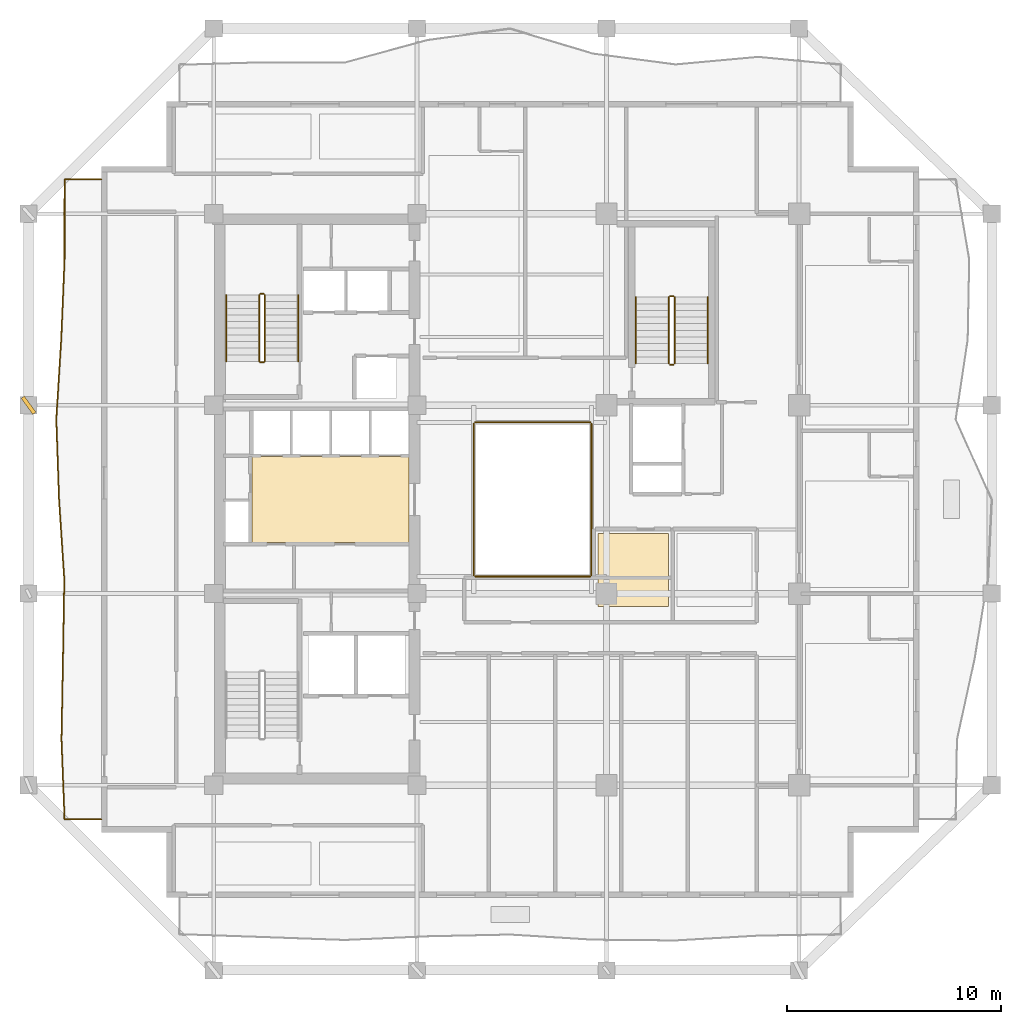
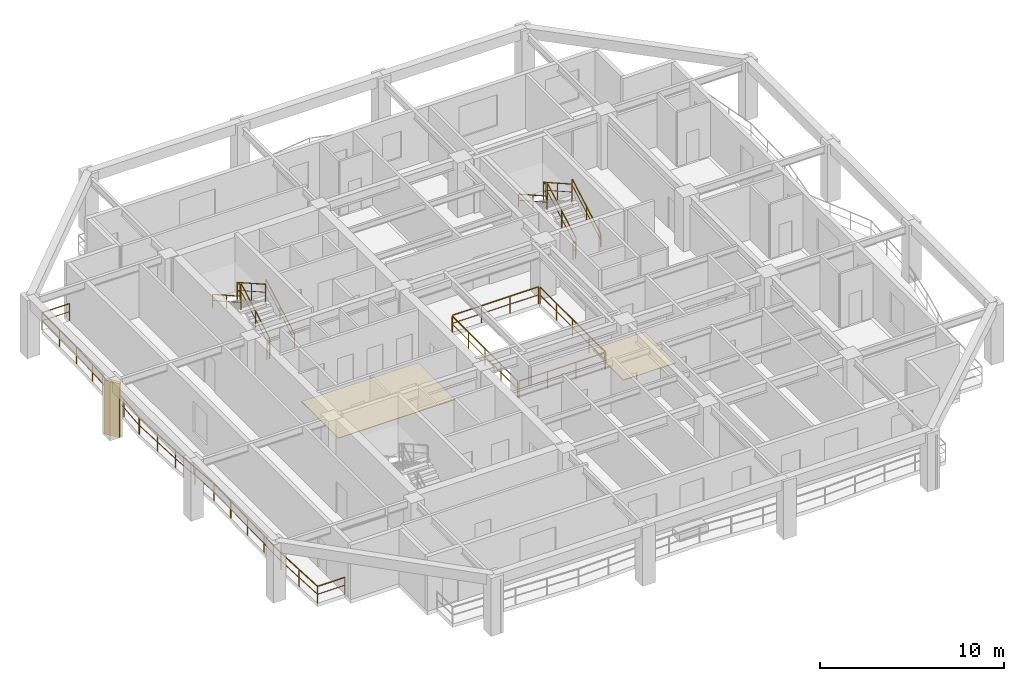
# One storey, part 9 of 11: 17 railings, 2 coverings, 1 shading device.
"""IFC4 building model written with IfcOpenShell, lengths in metres."""

from ifc_helpers import new_model, si_unit, direction, frame, origin, origin_2d, place, context, subcontext, project, spatial, polyline, rectangle, outline, extrude, material, layer, layer_set, type_object, element, save


model = new_model("IFC4")

# Units and contexts
model_context = context("Model", 3, precision=1e-05, world=origin(), true_north=direction((0.0, 1.0)))
body_context = subcontext(model_context, "Body", "Model", "MODEL_VIEW")
ifc_project = project(units=[si_unit("LENGTHUNIT", "METRE"), si_unit("AREAUNIT", "SQUARE_METRE"), si_unit("VOLUMEUNIT", "CUBIC_METRE"), si_unit("PLANEANGLEUNIT", "RADIAN"), si_unit("MASSUNIT", "GRAM", prefix="KILO")], contexts=[model_context])

# Site, building, storey
site_placement = place(None, origin())
site = spatial("IfcSite", under=ifc_project, at=site_placement, CompositionType="ELEMENT")
building_placement = place(site_placement, origin())
building = spatial("IfcBuilding", under=site, at=building_placement, Name="Kundavana Baori Tower", CompositionType="ELEMENT")
storey_placement = place(building_placement, frame((0.0, 0.0, 146.35009765625)))
storey = spatial("IfcBuildingStorey", under=building, at=storey_placement, Name="L35", CompositionType="ELEMENT", Elevation=146.35009765625)

# Coverings
ifc_material_1 = material(Name="Honed Kota Stone and Terrazzo Flooring", Category="masonry")
ifc_layer_1 = layer(ifc_material_1, 0.0400390625, Name="COV-FLR-TERR-40")
ifc_layer_set_1 = layer_set([ifc_layer_1], Name="Honed Kota Stone and Terrazzo Flooring")
covering_type_1 = type_object("IfcCoveringType", Name="COV-FLR-TERR-40", PredefinedType="FLOORING", material=ifc_layer_set_1)
covering_1_placement = place(storey_placement, origin())
element("IfcCovering", 1, at=covering_1_placement, inside=storey, type_object=covering_type_1, Name="L35 Core Lift Lobby Kota Stone Flooring", PredefinedType="FLOORING", context=body_context, shape_type="SweptSolid", body=[
    extrude(outline(polyline([(17.25, 26.580078125), (24.580078125, 26.580078125), (24.580078125, 30.60009765625), (17.25, 30.60009765625), (17.25, 26.580078125)])), origin(), (0.0, 0.0, 1.0), 0.039794921875),
])
ifc_material_2 = material(Name="Honed Kota Stone and Terrazzo Flooring", Category="masonry")
ifc_layer_2 = layer(ifc_material_2, 0.030029296875, Name="COV-INT-FLR")
ifc_layer_set_2 = layer_set([ifc_layer_2], Name="Honed Kota Stone and Terrazzo Flooring")
covering_type_2 = type_object("IfcCoveringType", Name="COV-INT-FLR", PredefinedType="FLOORING", material=ifc_layer_set_2)
covering_2_placement = place(storey_placement, origin())
element("IfcCovering", 2, at=covering_2_placement, inside=storey, type_object=covering_type_2, Name="L35 Room Finished Stone Flooring 9", PredefinedType="FLOORING", context=body_context, shape_type="SweptSolid", body=[
    extrude(outline(polyline([(33.39990234375, 23.60009765625), (36.699951171875, 23.60009765625), (36.699951171875, 27.0), (33.39990234375, 27.0), (33.39990234375, 23.60009765625)])), origin(), (0.0, 0.0, 1.0), 0.02978515625),
])

# Railings
ifc_material_3 = material(Name="Architectural Patinated Bronze Metalwork")
railing_type_1 = type_object("IfcRailingType", Name="RL-BAL-1150", PredefinedType="BALUSTRADE", material=ifc_material_3)
railing_1_placement = place(storey_placement, frame((10.199951171875, 13.64990234375, 0.0)))
element("IfcRailing", 3, at=railing_1_placement, inside=storey, type_object=railing_type_1, Name="L35 Loggia Balcony Balustrade W", PredefinedType="BALUSTRADE", context=body_context, shape_type="SweptSolid", body=[
    extrude(rectangle(XDim=0.048095703125, YDim=0.048095703125, at=origin_2d()), frame((0.0, 0.0, 1.1259765625), z_axis=(-1.0, 0.0, 0.0), x_axis=(0.0, -1.0, 0.0)), (0.0, 0.0, 1.0), 1.719970703125),
    extrude(rectangle(XDim=0.03125, YDim=0.03125, at=origin_2d()), frame((0.0, 0.0, 0.597900390625), z_axis=(-1.0, 0.0, 0.0), x_axis=(0.0, -1.0, 0.0)), (0.0, 0.0, 1.0), 1.719970703125),
    extrude(rectangle(XDim=0.048095703125, YDim=0.048095703125, at=origin_2d()), frame((-1.719970703125, 0.0, 1.1259765625), z_axis=(-0.038776589515, 0.99924790523, 0.0), x_axis=(-0.99924790523, -0.038776589515, 0.0)), (0.0, 0.0, 1.0), 3.739990234375),
    extrude(rectangle(XDim=0.03125, YDim=0.03125, at=origin_2d()), frame((-1.719970703125, 0.0, 0.597900390625), z_axis=(-0.038776589515, 0.99924790523, 0.0), x_axis=(-0.99924790523, -0.038776589515, 0.0)), (0.0, 0.0, 1.0), 3.739990234375),
    extrude(rectangle(XDim=0.048095703125, YDim=0.048095703125, at=origin_2d()), frame((-1.864990234375, 3.737060546875, 1.1259765625), z_axis=(0.018480286765, 0.999829224918, 0.0), x_axis=(-0.999829224918, 0.018480286765, 0.0)), (0.0, 0.0, 1.0), 3.73876953125),
    extrude(rectangle(XDim=0.03125, YDim=0.03125, at=origin_2d()), frame((-1.864990234375, 3.737060546875, 0.597900390625), z_axis=(0.018480286765, 0.999829224918, 0.0), x_axis=(-0.999829224918, 0.018480286765, 0.0)), (0.0, 0.0, 1.0), 3.73876953125),
    extrude(rectangle(XDim=0.048095703125, YDim=0.048095703125, at=origin_2d()), frame((-1.7958984375, 7.47509765625, 1.1259765625), z_axis=(0.016852639963, 0.999857984179, 0.0), x_axis=(-0.999857984179, 0.016852639963, 0.0)), (0.0, 0.0, 1.0), 3.737548828125),
    extrude(rectangle(XDim=0.03125, YDim=0.03125, at=origin_2d()), frame((-1.7958984375, 7.47509765625, 0.597900390625), z_axis=(0.016852639963, 0.999857984179, 0.0), x_axis=(-0.999857984179, 0.016852639963, 0.0)), (0.0, 0.0, 1.0), 3.737548828125),
    extrude(rectangle(XDim=0.048095703125, YDim=0.048095703125, at=origin_2d()), frame((-1.73291015625, 11.212158203125, 1.1259765625), z_axis=(-0.065433242561, 0.99785694905, 0.0), x_axis=(-0.99785694905, -0.065433242561, 0.0)), (0.0, 0.0, 1.0), 3.74609375),
    extrude(rectangle(XDim=0.03125, YDim=0.03125, at=origin_2d()), frame((-1.73291015625, 11.212158203125, 0.597900390625), z_axis=(-0.065433242561, 0.99785694905, 0.0), x_axis=(-0.99785694905, -0.065433242561, 0.0)), (0.0, 0.0, 1.0), 3.74609375),
    extrude(rectangle(XDim=0.048095703125, YDim=0.048095703125, at=origin_2d()), frame((-1.97802734375, 14.9501953125, 1.1259765625), z_axis=(-0.034475769106, 0.999405533977, 0.0), x_axis=(-0.999405533977, -0.034475769106, 0.0)), (0.0, 0.0, 1.0), 3.739013671875),
    extrude(rectangle(XDim=0.03125, YDim=0.03125, at=origin_2d()), frame((-1.97802734375, 14.9501953125, 0.597900390625), z_axis=(-0.034475769106, 0.999405533977, 0.0), x_axis=(-0.999405533977, -0.034475769106, 0.0)), (0.0, 0.0, 1.0), 3.739013671875),
    extrude(rectangle(XDim=0.048095703125, YDim=0.048095703125, at=origin_2d()), frame((-2.10693359375, 18.68701171875, 1.1259765625), z_axis=(0.061668048596, 0.998096714644, 0.0), x_axis=(-0.998096714644, 0.061668048596, 0.0)), (0.0, 0.0, 1.0), 3.7451171875),
    extrude(rectangle(XDim=0.03125, YDim=0.03125, at=origin_2d()), frame((-2.10693359375, 18.68701171875, 0.597900390625), z_axis=(0.061668048596, 0.998096714644, 0.0), x_axis=(-0.998096714644, 0.061668048596, 0.0)), (0.0, 0.0, 1.0), 3.7451171875),
    extrude(rectangle(XDim=0.048095703125, YDim=0.048095703125, at=origin_2d()), frame((-1.8759765625, 22.425048828125, 1.1259765625), z_axis=(0.041448638128, 0.999140635945, 0.0), x_axis=(-0.999140635945, 0.041448638128, 0.0)), (0.0, 0.0, 1.0), 3.740234375),
    extrude(rectangle(XDim=0.03125, YDim=0.03125, at=origin_2d()), frame((-1.8759765625, 22.425048828125, 0.597900390625), z_axis=(0.041448638128, 0.999140635945, 0.0), x_axis=(-0.999140635945, 0.041448638128, 0.0)), (0.0, 0.0, 1.0), 3.740234375),
    extrude(rectangle(XDim=0.048095703125, YDim=0.048095703125, at=origin_2d()), frame((-1.720947265625, 26.162109375, 1.1259765625), z_axis=(0.000261250073, 0.999999965874, 0.0), x_axis=(-0.999999965874, 0.000261250073, 0.0)), (0.0, 0.0, 1.0), 3.738037109375),
    extrude(rectangle(XDim=0.03125, YDim=0.03125, at=origin_2d()), frame((-1.720947265625, 26.162109375, 0.597900390625), z_axis=(0.000261250073, 0.999999965874, 0.0), x_axis=(-0.999999965874, 0.000261250073, 0.0)), (0.0, 0.0, 1.0), 3.738037109375),
    extrude(rectangle(XDim=0.048095703125, YDim=0.048095703125, at=origin_2d()), frame((-1.719970703125, 29.900146484375, 1.1259765625), z_axis=(1.0, 0.0, 0.0), x_axis=(0.0, 1.0, 0.0)), (0.0, 0.0, 1.0), 1.719970703125),
    extrude(rectangle(XDim=0.03125, YDim=0.03125, at=origin_2d()), frame((-1.719970703125, 29.900146484375, 0.597900390625), z_axis=(1.0, 0.0, 0.0), x_axis=(0.0, 1.0, 0.0)), (0.0, 0.0, 1.0), 1.719970703125),
    extrude(rectangle(XDim=0.0419921875, YDim=0.0419921875, at=origin_2d()), origin(), (0.0, 0.0, 1.0), 1.101806640625),
    extrude(rectangle(XDim=0.0419921875, YDim=0.0419921875, at=origin_2d()), frame((-1.719970703125, 0.0, 0.0)), (0.0, 0.0, 1.0), 1.101806640625),
    extrude(rectangle(XDim=0.0419921875, YDim=0.0419921875, at=origin_2d()), frame((-1.79248046875, 1.86865234375, 0.0)), (0.0, 0.0, 1.0), 1.101806640625),
    extrude(rectangle(XDim=0.0419921875, YDim=0.0419921875, at=origin_2d()), frame((-1.864990234375, 3.737060546875, 0.0)), (0.0, 0.0, 1.0), 1.101806640625),
    extrude(rectangle(XDim=0.0419921875, YDim=0.0419921875, at=origin_2d()), frame((-1.83056640625, 5.60595703125, 0.0)), (0.0, 0.0, 1.0), 1.101806640625),
    extrude(rectangle(XDim=0.0419921875, YDim=0.0419921875, at=origin_2d()), frame((-1.7958984375, 7.47509765625, 0.0)), (0.0, 0.0, 1.0), 1.101806640625),
    extrude(rectangle(XDim=0.0419921875, YDim=0.0419921875, at=origin_2d()), frame((-1.764404296875, 9.34375, 0.0)), (0.0, 0.0, 1.0), 1.101806640625),
    extrude(rectangle(XDim=0.0419921875, YDim=0.0419921875, at=origin_2d()), frame((-1.73291015625, 11.212158203125, 0.0)), (0.0, 0.0, 1.0), 1.101806640625),
    extrude(rectangle(XDim=0.0419921875, YDim=0.0419921875, at=origin_2d()), frame((-1.85546875, 13.0810546875, 0.0)), (0.0, 0.0, 1.0), 1.101806640625),
    extrude(rectangle(XDim=0.0419921875, YDim=0.0419921875, at=origin_2d()), frame((-1.97802734375, 14.9501953125, 0.0)), (0.0, 0.0, 1.0), 1.101806640625),
    extrude(rectangle(XDim=0.0419921875, YDim=0.0419921875, at=origin_2d()), frame((-2.04248046875, 16.818603515625, 0.0)), (0.0, 0.0, 1.0), 1.101806640625),
    extrude(rectangle(XDim=0.0419921875, YDim=0.0419921875, at=origin_2d()), frame((-2.10693359375, 18.68701171875, 0.0)), (0.0, 0.0, 1.0), 1.101806640625),
    extrude(rectangle(XDim=0.0419921875, YDim=0.0419921875, at=origin_2d()), frame((-1.991455078125, 20.55615234375, 0.0)), (0.0, 0.0, 1.0), 1.101806640625),
    extrude(rectangle(XDim=0.0419921875, YDim=0.0419921875, at=origin_2d()), frame((-1.8759765625, 22.425048828125, 0.0)), (0.0, 0.0, 1.0), 1.101806640625),
    extrude(rectangle(XDim=0.0419921875, YDim=0.0419921875, at=origin_2d()), frame((-1.79833984375, 24.29345703125, 0.0)), (0.0, 0.0, 1.0), 1.101806640625),
    extrude(rectangle(XDim=0.0419921875, YDim=0.0419921875, at=origin_2d()), frame((-1.720947265625, 26.162109375, 0.0)), (0.0, 0.0, 1.0), 1.101806640625),
    extrude(rectangle(XDim=0.0419921875, YDim=0.0419921875, at=origin_2d()), frame((-1.720458984375, 28.03125, 0.0)), (0.0, 0.0, 1.0), 1.101806640625),
    extrude(rectangle(XDim=0.0419921875, YDim=0.0419921875, at=origin_2d()), frame((-1.719970703125, 29.900146484375, 0.0)), (0.0, 0.0, 1.0), 1.101806640625),
    extrude(rectangle(XDim=0.0419921875, YDim=0.0419921875, at=origin_2d()), frame((0.0, 29.900146484375, 0.0)), (0.0, 0.0, 1.0), 1.101806640625),
])
ifc_material_4 = material(Name="Architectural Patinated Bronze Metalwork")
railing_type_2 = type_object("IfcRailingType", Name="RL-GRD-1150", PredefinedType="GUARDRAIL", material=ifc_material_4)
railing_2_placement = place(storey_placement, frame((17.840087890625, 35.050048828125, 0.1748046875)))
element("IfcRailing", 4, at=railing_2_placement, inside=storey, type_object=railing_type_2, Name="L35 ST2 stair guard 1", PredefinedType="GUARDRAIL", context=body_context, shape_type="SweptSolid", body=[
    extrude(rectangle(XDim=0.048095703125, YDim=0.048095703125, at=origin_2d()), frame((0.0, 0.0, 1.1259765625), z_axis=(0.0, 0.870814364268, 0.491611984175), x_axis=(-1.0, 0.0, 0.0)), (0.0, 0.0, 1.0), 3.559814453125),
    extrude(rectangle(XDim=0.03125, YDim=0.03125, at=origin_2d()), frame((0.0, 0.0, 0.597900390625), z_axis=(0.0, 0.870814364268, 0.491611984175), x_axis=(-1.0, 0.0, 0.0)), (0.0, 0.0, 1.0), 3.559814453125),
    extrude(rectangle(XDim=0.0419921875, YDim=0.0419921875, at=origin_2d()), origin(), (0.0, 0.0, 1.0), 1.101806640625),
    extrude(rectangle(XDim=0.0419921875, YDim=0.0419921875, at=origin_2d()), frame((0.0, 1.5498046875, 0.875)), (0.0, 0.0, 1.0), 1.101806640625),
    extrude(rectangle(XDim=0.0419921875, YDim=0.0419921875, at=origin_2d()), frame((0.0, 3.099853515625, 1.75)), (0.0, 0.0, 1.0), 1.101806640625),
])
railing_3_placement = place(storey_placement, frame((17.7900390625, 38.199951171875, 1.9248046875)))
element("IfcRailing", 5, at=railing_3_placement, inside=storey, type_object=railing_type_2, Name="L35 ST2 stair guard 2", PredefinedType="GUARDRAIL", context=body_context, shape_type="SweptSolid", body=[
    extrude(rectangle(XDim=0.048095703125, YDim=0.048095703125, at=origin_2d()), frame((0.0, 0.0, 1.1259765625), z_axis=(-1.0, 0.0, 0.0), x_axis=(0.0, -1.0, 0.0)), (0.0, 0.0, 1.0), 0.16015625),
    extrude(rectangle(XDim=0.03125, YDim=0.03125, at=origin_2d()), frame((0.0, 0.0, 0.597900390625), z_axis=(-1.0, 0.0, 0.0), x_axis=(0.0, -1.0, 0.0)), (0.0, 0.0, 1.0), 0.16015625),
    extrude(rectangle(XDim=0.0419921875, YDim=0.0419921875, at=origin_2d()), origin(), (0.0, 0.0, 1.0), 1.101806640625),
    extrude(rectangle(XDim=0.0419921875, YDim=0.0419921875, at=origin_2d()), frame((-0.16015625, 0.0, 0.0)), (0.0, 0.0, 1.0), 1.101806640625),
])
railing_4_placement = place(storey_placement, frame((17.580078125, 38.14990234375, 2.099853515625)))
element("IfcRailing", 6, at=railing_4_placement, inside=storey, type_object=railing_type_2, Name="L35 ST2 stair guard 3", PredefinedType="GUARDRAIL", context=body_context, shape_type="SweptSolid", body=[
    extrude(rectangle(XDim=0.048095703125, YDim=0.048095703125, at=origin_2d()), frame((0.0, 0.0, 1.1259765625), z_axis=(0.0, -0.870814364268, 0.491611984175), x_axis=(1.0, 0.0, 0.0)), (0.0, 0.0, 1.0), 3.559814453125),
    extrude(rectangle(XDim=0.03125, YDim=0.03125, at=origin_2d()), frame((0.0, 0.0, 0.597900390625), z_axis=(0.0, -0.870814364268, 0.491611984175), x_axis=(1.0, 0.0, 0.0)), (0.0, 0.0, 1.0), 3.559814453125),
    extrude(rectangle(XDim=0.0419921875, YDim=0.0419921875, at=origin_2d()), origin(), (0.0, 0.0, 1.0), 1.101806640625),
    extrude(rectangle(XDim=0.0419921875, YDim=0.0419921875, at=origin_2d()), frame((0.0, -1.5498046875, 0.875)), (0.0, 0.0, 1.0), 1.101806640625),
    extrude(rectangle(XDim=0.0419921875, YDim=0.0419921875, at=origin_2d()), frame((0.0, -3.099853515625, 1.75)), (0.0, 0.0, 1.0), 1.101806640625),
])
railing_5_placement = place(storey_placement, frame((17.7900390625, 35.0, 0.0)))
element("IfcRailing", 7, at=railing_5_placement, inside=storey, type_object=railing_type_2, Name="L35 ST2 stair guard 4", PredefinedType="GUARDRAIL", context=body_context, shape_type="SweptSolid", body=[
    extrude(rectangle(XDim=0.048095703125, YDim=0.048095703125, at=origin_2d()), frame((0.0, 0.0, 1.1259765625), z_axis=(-1.0, 0.0, 0.0), x_axis=(0.0, -1.0, 0.0)), (0.0, 0.0, 1.0), 0.16015625),
    extrude(rectangle(XDim=0.03125, YDim=0.03125, at=origin_2d()), frame((0.0, 0.0, 0.597900390625), z_axis=(-1.0, 0.0, 0.0), x_axis=(0.0, -1.0, 0.0)), (0.0, 0.0, 1.0), 0.16015625),
    extrude(rectangle(XDim=0.0419921875, YDim=0.0419921875, at=origin_2d()), origin(), (0.0, 0.0, 1.0), 1.101806640625),
    extrude(rectangle(XDim=0.0419921875, YDim=0.0419921875, at=origin_2d()), frame((-0.16015625, 0.0, 0.0)), (0.0, 0.0, 1.0), 1.101806640625),
])
railing_6_placement = place(storey_placement, frame((36.97998046875, 34.949951171875, 0.1748046875)))
element("IfcRailing", 8, at=railing_6_placement, inside=storey, type_object=railing_type_2, Name="L35 ST3 stair guard 1", PredefinedType="GUARDRAIL", context=body_context, shape_type="SweptSolid", body=[
    extrude(rectangle(XDim=0.048095703125, YDim=0.048095703125, at=origin_2d()), frame((0.0, 0.0, 1.1259765625), z_axis=(0.0, 0.870830938388, 0.491582624537), x_axis=(-1.0, 0.0, 0.0)), (0.0, 0.0, 1.0), 3.559814453125),
    extrude(rectangle(XDim=0.03125, YDim=0.03125, at=origin_2d()), frame((0.0, 0.0, 0.597900390625), z_axis=(0.0, 0.870830938388, 0.491582624537), x_axis=(-1.0, 0.0, 0.0)), (0.0, 0.0, 1.0), 3.559814453125),
    extrude(rectangle(XDim=0.0419921875, YDim=0.0419921875, at=origin_2d()), origin(), (0.0, 0.0, 1.0), 1.101806640625),
    extrude(rectangle(XDim=0.0419921875, YDim=0.0419921875, at=origin_2d()), frame((0.0, 1.550048828125, 0.875)), (0.0, 0.0, 1.0), 1.101806640625),
    extrude(rectangle(XDim=0.0419921875, YDim=0.0419921875, at=origin_2d()), frame((0.0, 3.10009765625, 1.75)), (0.0, 0.0, 1.0), 1.101806640625),
])
railing_7_placement = place(storey_placement, frame((36.929931640625, 38.10009765625, 1.9248046875)))
element("IfcRailing", 9, at=railing_7_placement, inside=storey, type_object=railing_type_2, Name="L35 ST3 stair guard 2", PredefinedType="GUARDRAIL", context=body_context, shape_type="SweptSolid", body=[
    extrude(rectangle(XDim=0.048095703125, YDim=0.048095703125, at=origin_2d()), frame((0.0, 0.0, 1.1259765625), z_axis=(-1.0, 0.0, 0.0), x_axis=(0.0, -1.0, 0.0)), (0.0, 0.0, 1.0), 0.159912109375),
    extrude(rectangle(XDim=0.03125, YDim=0.03125, at=origin_2d()), frame((0.0, 0.0, 0.597900390625), z_axis=(-1.0, 0.0, 0.0), x_axis=(0.0, -1.0, 0.0)), (0.0, 0.0, 1.0), 0.159912109375),
    extrude(rectangle(XDim=0.0419921875, YDim=0.0419921875, at=origin_2d()), origin(), (0.0, 0.0, 1.0), 1.101806640625),
    extrude(rectangle(XDim=0.0419921875, YDim=0.0419921875, at=origin_2d()), frame((-0.159912109375, 0.0, 0.0)), (0.0, 0.0, 1.0), 1.101806640625),
])
railing_8_placement = place(storey_placement, frame((36.719970703125, 38.050048828125, 2.099853515625)))
element("IfcRailing", 10, at=railing_8_placement, inside=storey, type_object=railing_type_2, Name="L35 ST3 stair guard 3", PredefinedType="GUARDRAIL", context=body_context, shape_type="SweptSolid", body=[
    extrude(rectangle(XDim=0.048095703125, YDim=0.048095703125, at=origin_2d()), frame((0.0, 0.0, 1.1259765625), z_axis=(0.0, -0.870830938388, 0.491582624537), x_axis=(1.0, 0.0, 0.0)), (0.0, 0.0, 1.0), 3.559814453125),
    extrude(rectangle(XDim=0.03125, YDim=0.03125, at=origin_2d()), frame((0.0, 0.0, 0.597900390625), z_axis=(0.0, -0.870830938388, 0.491582624537), x_axis=(1.0, 0.0, 0.0)), (0.0, 0.0, 1.0), 3.559814453125),
    extrude(rectangle(XDim=0.0419921875, YDim=0.0419921875, at=origin_2d()), origin(), (0.0, 0.0, 1.0), 1.101806640625),
    extrude(rectangle(XDim=0.0419921875, YDim=0.0419921875, at=origin_2d()), frame((0.0, -1.550048828125, 0.875)), (0.0, 0.0, 1.0), 1.101806640625),
    extrude(rectangle(XDim=0.0419921875, YDim=0.0419921875, at=origin_2d()), frame((0.0, -3.10009765625, 1.75)), (0.0, 0.0, 1.0), 1.101806640625),
])
railing_9_placement = place(storey_placement, frame((36.929931640625, 34.89990234375, 0.0)))
element("IfcRailing", 11, at=railing_9_placement, inside=storey, type_object=railing_type_2, Name="L35 ST3 stair guard 4", PredefinedType="GUARDRAIL", context=body_context, shape_type="SweptSolid", body=[
    extrude(rectangle(XDim=0.048095703125, YDim=0.048095703125, at=origin_2d()), frame((0.0, 0.0, 1.1259765625), z_axis=(-1.0, 0.0, 0.0), x_axis=(0.0, -1.0, 0.0)), (0.0, 0.0, 1.0), 0.159912109375),
    extrude(rectangle(XDim=0.03125, YDim=0.03125, at=origin_2d()), frame((0.0, 0.0, 0.597900390625), z_axis=(-1.0, 0.0, 0.0), x_axis=(0.0, -1.0, 0.0)), (0.0, 0.0, 1.0), 0.159912109375),
    extrude(rectangle(XDim=0.0419921875, YDim=0.0419921875, at=origin_2d()), origin(), (0.0, 0.0, 1.0), 1.101806640625),
    extrude(rectangle(XDim=0.0419921875, YDim=0.0419921875, at=origin_2d()), frame((-0.159912109375, 0.0, 0.0)), (0.0, 0.0, 1.0), 1.101806640625),
])
railing_10_placement = place(storey_placement, frame((27.659912109375, 25.0, 0.0)))
element("IfcRailing", 12, at=railing_10_placement, inside=storey, type_object=railing_type_2, Name="L35 Atrium Void Perimeter Guardrail S", PredefinedType="GUARDRAIL", context=body_context, shape_type="SweptSolid", body=[
    extrude(rectangle(XDim=0.048095703125, YDim=0.048095703125, at=origin_2d()), frame((0.0, 0.0, 1.1259765625), z_axis=(1.0, 0.0, 0.0), x_axis=(0.0, 1.0, 0.0)), (0.0, 0.0, 1.0), 5.380126953125),
    extrude(rectangle(XDim=0.03125, YDim=0.03125, at=origin_2d()), frame((0.0, 0.0, 0.597900390625), z_axis=(1.0, 0.0, 0.0), x_axis=(0.0, 1.0, 0.0)), (0.0, 0.0, 1.0), 5.380126953125),
    extrude(rectangle(XDim=0.0419921875, YDim=0.0419921875, at=origin_2d()), origin(), (0.0, 0.0, 1.0), 1.101806640625),
    extrude(rectangle(XDim=0.0419921875, YDim=0.0419921875, at=origin_2d()), frame((1.79345703125, 0.0, 0.0)), (0.0, 0.0, 1.0), 1.101806640625),
    extrude(rectangle(XDim=0.0419921875, YDim=0.0419921875, at=origin_2d()), frame((3.586669921875, 0.0, 0.0)), (0.0, 0.0, 1.0), 1.101806640625),
    extrude(rectangle(XDim=0.0419921875, YDim=0.0419921875, at=origin_2d()), frame((5.380126953125, 0.0, 0.0)), (0.0, 0.0, 1.0), 1.101806640625),
])
railing_11_placement = place(storey_placement, frame((33.10009765625, 25.06005859375, 0.0)))
element("IfcRailing", 13, at=railing_11_placement, inside=storey, type_object=railing_type_2, Name="L35 Atrium Void Perimeter Guardrail E", PredefinedType="GUARDRAIL", context=body_context, shape_type="SweptSolid", body=[
    extrude(rectangle(XDim=0.048095703125, YDim=0.048095703125, at=origin_2d()), frame((0.0, 0.0, 1.1259765625), z_axis=(0.0, 1.0, 0.0), x_axis=(-1.0, 0.0, 0.0)), (0.0, 0.0, 1.0), 7.079833984375),
    extrude(rectangle(XDim=0.03125, YDim=0.03125, at=origin_2d()), frame((0.0, 0.0, 0.597900390625), z_axis=(0.0, 1.0, 0.0), x_axis=(-1.0, 0.0, 0.0)), (0.0, 0.0, 1.0), 7.079833984375),
    extrude(rectangle(XDim=0.0419921875, YDim=0.0419921875, at=origin_2d()), origin(), (0.0, 0.0, 1.0), 1.101806640625),
    extrude(rectangle(XDim=0.0419921875, YDim=0.0419921875, at=origin_2d()), frame((0.0, 1.77001953125, 0.0)), (0.0, 0.0, 1.0), 1.101806640625),
    extrude(rectangle(XDim=0.0419921875, YDim=0.0419921875, at=origin_2d()), frame((0.0, 3.5400390625, 0.0)), (0.0, 0.0, 1.0), 1.101806640625),
    extrude(rectangle(XDim=0.0419921875, YDim=0.0419921875, at=origin_2d()), frame((0.0, 5.309814453125, 0.0)), (0.0, 0.0, 1.0), 1.101806640625),
    extrude(rectangle(XDim=0.0419921875, YDim=0.0419921875, at=origin_2d()), frame((0.0, 7.079833984375, 0.0)), (0.0, 0.0, 1.0), 1.101806640625),
])
railing_12_placement = place(storey_placement, frame((33.0400390625, 32.199951171875, 0.0)))
element("IfcRailing", 14, at=railing_12_placement, inside=storey, type_object=railing_type_2, Name="L35 Atrium Void Perimeter Guardrail N", PredefinedType="GUARDRAIL", context=body_context, shape_type="SweptSolid", body=[
    extrude(rectangle(XDim=0.048095703125, YDim=0.048095703125, at=origin_2d()), frame((0.0, 0.0, 1.1259765625), z_axis=(-1.0, 0.0, 0.0), x_axis=(0.0, -1.0, 0.0)), (0.0, 0.0, 1.0), 5.380126953125),
    extrude(rectangle(XDim=0.03125, YDim=0.03125, at=origin_2d()), frame((0.0, 0.0, 0.597900390625), z_axis=(-1.0, 0.0, 0.0), x_axis=(0.0, -1.0, 0.0)), (0.0, 0.0, 1.0), 5.380126953125),
    extrude(rectangle(XDim=0.0419921875, YDim=0.0419921875, at=origin_2d()), origin(), (0.0, 0.0, 1.0), 1.101806640625),
    extrude(rectangle(XDim=0.0419921875, YDim=0.0419921875, at=origin_2d()), frame((-1.79345703125, 0.0, 0.0)), (0.0, 0.0, 1.0), 1.101806640625),
    extrude(rectangle(XDim=0.0419921875, YDim=0.0419921875, at=origin_2d()), frame((-3.586669921875, 0.0, 0.0)), (0.0, 0.0, 1.0), 1.101806640625),
    extrude(rectangle(XDim=0.0419921875, YDim=0.0419921875, at=origin_2d()), frame((-5.380126953125, 0.0, 0.0)), (0.0, 0.0, 1.0), 1.101806640625),
])
railing_13_placement = place(storey_placement, frame((27.60009765625, 32.139892578125, 0.0)))
element("IfcRailing", 15, at=railing_13_placement, inside=storey, type_object=railing_type_2, Name="L35 Atrium Void Perimeter Guardrail W", PredefinedType="GUARDRAIL", context=body_context, shape_type="SweptSolid", body=[
    extrude(rectangle(XDim=0.048095703125, YDim=0.048095703125, at=origin_2d()), frame((0.0, 0.0, 1.1259765625), z_axis=(0.0, -1.0, 0.0), x_axis=(1.0, 0.0, 0.0)), (0.0, 0.0, 1.0), 7.079833984375),
    extrude(rectangle(XDim=0.03125, YDim=0.03125, at=origin_2d()), frame((0.0, 0.0, 0.597900390625), z_axis=(0.0, -1.0, 0.0), x_axis=(1.0, 0.0, 0.0)), (0.0, 0.0, 1.0), 7.079833984375),
    extrude(rectangle(XDim=0.0419921875, YDim=0.0419921875, at=origin_2d()), origin(), (0.0, 0.0, 1.0), 1.101806640625),
    extrude(rectangle(XDim=0.0419921875, YDim=0.0419921875, at=origin_2d()), frame((0.0, -1.77001953125, 0.0)), (0.0, 0.0, 1.0), 1.101806640625),
    extrude(rectangle(XDim=0.0419921875, YDim=0.0419921875, at=origin_2d()), frame((0.0, -3.5400390625, 0.0)), (0.0, 0.0, 1.0), 1.101806640625),
    extrude(rectangle(XDim=0.0419921875, YDim=0.0419921875, at=origin_2d()), frame((0.0, -5.309814453125, 0.0)), (0.0, 0.0, 1.0), 1.101806640625),
    extrude(rectangle(XDim=0.0419921875, YDim=0.0419921875, at=origin_2d()), frame((0.0, -7.079833984375, 0.0)), (0.0, 0.0, 1.0), 1.101806640625),
])
ifc_material_5 = material(Name="Architectural Patinated Bronze Metalwork")
railing_type_3 = type_object("IfcRailingType", Name="RL-HND-920", PredefinedType="HANDRAIL", material=ifc_material_5)
railing_14_placement = place(storey_placement, frame((19.389892578125, 35.050048828125, 0.1748046875)))
element("IfcRailing", 16, at=railing_14_placement, inside=storey, type_object=railing_type_3, Name="L35 ST2 stair handrail 1", PredefinedType="HANDRAIL", context=body_context, shape_type="SweptSolid", body=[
    extrude(rectangle(XDim=0.048095703125, YDim=0.048095703125, at=origin_2d()), frame((0.0, 0.0, 0.8759765625), z_axis=(0.0, 0.870814364268, 0.491611984175), x_axis=(-1.0, 0.0, 0.0)), (0.0, 0.0, 1.0), 3.559814453125),
    extrude(rectangle(XDim=0.03125, YDim=0.03125, at=origin_2d()), frame((0.0, 0.0, 0.468017578125), z_axis=(0.0, 0.870814364268, 0.491611984175), x_axis=(-1.0, 0.0, 0.0)), (0.0, 0.0, 1.0), 3.559814453125),
    extrude(rectangle(XDim=0.0419921875, YDim=0.0419921875, at=origin_2d()), origin(), (0.0, 0.0, 1.0), 0.851806640625),
    extrude(rectangle(XDim=0.0419921875, YDim=0.0419921875, at=origin_2d()), frame((0.0, 1.5498046875, 0.875)), (0.0, 0.0, 1.0), 0.851806640625),
    extrude(rectangle(XDim=0.0419921875, YDim=0.0419921875, at=origin_2d()), frame((0.0, 3.099853515625, 1.75)), (0.0, 0.0, 1.0), 0.851806640625),
])
railing_15_placement = place(storey_placement, frame((16.030029296875, 38.14990234375, 2.099853515625)))
element("IfcRailing", 17, at=railing_15_placement, inside=storey, type_object=railing_type_3, Name="L35 ST2 stair handrail 2", PredefinedType="HANDRAIL", context=body_context, shape_type="SweptSolid", body=[
    extrude(rectangle(XDim=0.048095703125, YDim=0.048095703125, at=origin_2d()), frame((0.0, 0.0, 0.8759765625), z_axis=(0.0, -0.870814364268, 0.491611984175), x_axis=(1.0, 0.0, 0.0)), (0.0, 0.0, 1.0), 3.559814453125),
    extrude(rectangle(XDim=0.03125, YDim=0.03125, at=origin_2d()), frame((0.0, 0.0, 0.468017578125), z_axis=(0.0, -0.870814364268, 0.491611984175), x_axis=(1.0, 0.0, 0.0)), (0.0, 0.0, 1.0), 3.559814453125),
    extrude(rectangle(XDim=0.0419921875, YDim=0.0419921875, at=origin_2d()), origin(), (0.0, 0.0, 1.0), 0.851806640625),
    extrude(rectangle(XDim=0.0419921875, YDim=0.0419921875, at=origin_2d()), frame((0.0, -1.5498046875, 0.875)), (0.0, 0.0, 1.0), 0.851806640625),
    extrude(rectangle(XDim=0.0419921875, YDim=0.0419921875, at=origin_2d()), frame((0.0, -3.099853515625, 1.75)), (0.0, 0.0, 1.0), 0.851806640625),
])
railing_16_placement = place(storey_placement, frame((38.530029296875, 34.949951171875, 0.1748046875)))
element("IfcRailing", 18, at=railing_16_placement, inside=storey, type_object=railing_type_3, Name="L35 ST3 stair handrail 1", PredefinedType="HANDRAIL", context=body_context, shape_type="SweptSolid", body=[
    extrude(rectangle(XDim=0.048095703125, YDim=0.048095703125, at=origin_2d()), frame((0.0, 0.0, 0.8759765625), z_axis=(0.0, 0.870830938388, 0.491582624537), x_axis=(-1.0, 0.0, 0.0)), (0.0, 0.0, 1.0), 3.559814453125),
    extrude(rectangle(XDim=0.03125, YDim=0.03125, at=origin_2d()), frame((0.0, 0.0, 0.468017578125), z_axis=(0.0, 0.870830938388, 0.491582624537), x_axis=(-1.0, 0.0, 0.0)), (0.0, 0.0, 1.0), 3.559814453125),
    extrude(rectangle(XDim=0.0419921875, YDim=0.0419921875, at=origin_2d()), origin(), (0.0, 0.0, 1.0), 0.851806640625),
    extrude(rectangle(XDim=0.0419921875, YDim=0.0419921875, at=origin_2d()), frame((0.0, 1.550048828125, 0.875)), (0.0, 0.0, 1.0), 0.851806640625),
    extrude(rectangle(XDim=0.0419921875, YDim=0.0419921875, at=origin_2d()), frame((0.0, 3.10009765625, 1.75)), (0.0, 0.0, 1.0), 0.851806640625),
])
railing_17_placement = place(storey_placement, frame((35.169921875, 38.050048828125, 2.099853515625)))
element("IfcRailing", 19, at=railing_17_placement, inside=storey, type_object=railing_type_3, Name="L35 ST3 stair handrail 2", PredefinedType="HANDRAIL", context=body_context, shape_type="SweptSolid", body=[
    extrude(rectangle(XDim=0.048095703125, YDim=0.048095703125, at=origin_2d()), frame((0.0, 0.0, 0.8759765625), z_axis=(0.0, -0.870830938388, 0.491582624537), x_axis=(1.0, 0.0, 0.0)), (0.0, 0.0, 1.0), 3.559814453125),
    extrude(rectangle(XDim=0.03125, YDim=0.03125, at=origin_2d()), frame((0.0, 0.0, 0.468017578125), z_axis=(0.0, -0.870830938388, 0.491582624537), x_axis=(1.0, 0.0, 0.0)), (0.0, 0.0, 1.0), 3.559814453125),
    extrude(rectangle(XDim=0.0419921875, YDim=0.0419921875, at=origin_2d()), origin(), (0.0, 0.0, 1.0), 0.851806640625),
    extrude(rectangle(XDim=0.0419921875, YDim=0.0419921875, at=origin_2d()), frame((0.0, -1.550048828125, 0.875)), (0.0, 0.0, 1.0), 0.851806640625),
    extrude(rectangle(XDim=0.0419921875, YDim=0.0419921875, at=origin_2d()), frame((0.0, -3.10009765625, 1.75)), (0.0, 0.0, 1.0), 0.851806640625),
])

# Shading device
ifc_material_6 = material(Name="Red-Buff Dholpur Sandstone Cladding on Concrete C40/50", Category="masonry")
shading_device_type = type_object("IfcShadingDeviceType", Name="SHD-FIN-920", PredefinedType="JALOUSIE", material=ifc_material_6)
shading_device_placement = place(storey_placement, frame((6.800048828125, 33.0, -0.000244140625), z_axis=(0.0, 0.0, 1.0), x_axis=(0.810041640446, 0.586372356736, 0.0)))
element("IfcShadingDevice", 20, at=shading_device_placement, inside=storey, type_object=shading_device_type, Name="L35 Sweeping Dholpur Sandstone Facade Fin 7", PredefinedType="JALOUSIE", context=body_context, shape_type="SweptSolid", body=[
    extrude(rectangle(XDim=0.179931640625, YDim=0.919921875, at=origin_2d()), origin(), (0.0, 0.0, 1.0), 3.60009765625),
])

save(model, "model.ifc")
